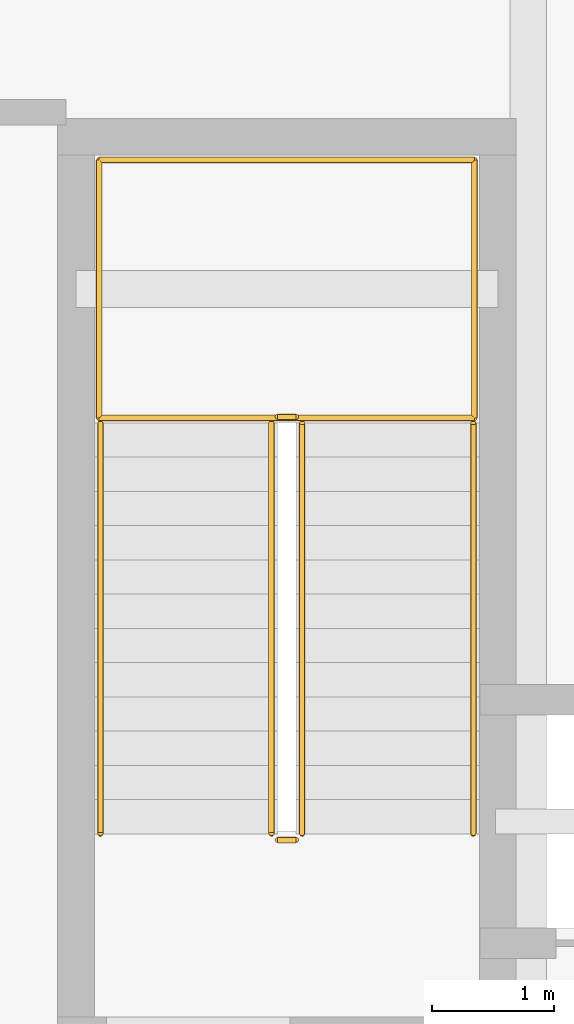
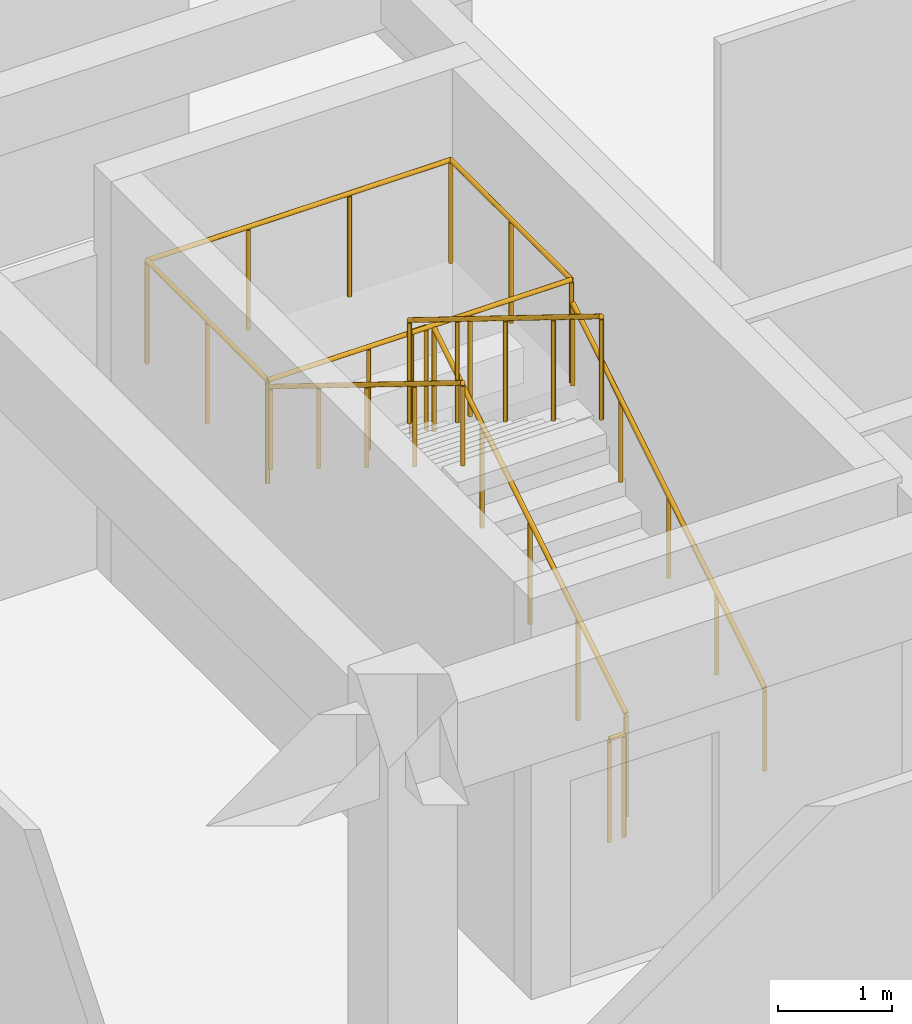
# One storey, part 57 of 57: 8 railings.
"""IFC4 building model written with IfcOpenShell, lengths in metres."""

from ifc_helpers import new_model, si_unit, direction, frame, origin, origin_2d, place, context, subcontext, project, spatial, circle, extrude, material, type_object, element, save


model = new_model("IFC4")

# Units and contexts
model_context = context("Model", 3, precision=1e-05, world=origin(), true_north=direction((0.0, 1.0)))
body_context = subcontext(model_context, "Body", "Model", "MODEL_VIEW")
ifc_project = project(units=[si_unit("LENGTHUNIT", "METRE"), si_unit("AREAUNIT", "SQUARE_METRE"), si_unit("VOLUMEUNIT", "CUBIC_METRE"), si_unit("PLANEANGLEUNIT", "RADIAN"), si_unit("MASSUNIT", "GRAM", prefix="KILO")], contexts=[model_context])

# Site, building, storey
site_placement = place(None, origin())
site = spatial("IfcSite", under=ifc_project, at=site_placement, CompositionType="ELEMENT")
building_placement = place(site_placement, origin())
building = spatial("IfcBuilding", under=site, at=building_placement, Name="Miralva Faculty of Natural Sciences", CompositionType="ELEMENT")
storey_placement = place(building_placement, frame((0.0, 0.0, 15.0)))
storey = spatial("IfcBuildingStorey", under=building, at=storey_placement, Name="L03", CompositionType="ELEMENT", Elevation=15.0)

# Railings
ifc_material = material(Name="Steel S355", Category="steel")
railing_type_1 = type_object("IfcRailingType", Name="RL-GR01", PredefinedType="GUARDRAIL", material=ifc_material)
railing_1_placement = place(storey_placement, frame((148.89990234375, 48.10009765625, 0.173095703125)))
element("IfcRailing", 1, at=railing_1_placement, inside=storey, type_object=railing_type_1, Name="Stair Core C4 safety guard L03-1", PredefinedType="GUARDRAIL", context=body_context, shape_type="SweptSolid", body=[
    extrude(circle(Radius=0.02392578125, at=origin_2d()), frame((0.0, 0.0, 1.09619140625), z_axis=(0.0, 0.850606129759, 0.525803396734), x_axis=(-1.0, 0.0, 0.0)), (0.0, 0.0, 1.0), 3.949951171875),
    extrude(circle(Radius=0.02099609375, at=origin_2d()), origin(), (0.0, 0.0, 1.0), 1.072021484375),
    extrude(circle(Radius=0.02099609375, at=origin_2d()), frame((0.0, 0.83984375, 0.519287109375)), (0.0, 0.0, 1.0), 1.072021484375),
    extrude(circle(Radius=0.02099609375, at=origin_2d()), frame((0.0, 1.679931640625, 1.03857421875)), (0.0, 0.0, 1.0), 1.072021484375),
    extrude(circle(Radius=0.02099609375, at=origin_2d()), frame((0.0, 2.52001953125, 1.5576171875)), (0.0, 0.0, 1.0), 1.072021484375),
    extrude(circle(Radius=0.02099609375, at=origin_2d()), frame((0.0, 3.35986328125, 2.076904296875)), (0.0, 0.0, 1.0), 1.072021484375),
])
railing_2_placement = place(storey_placement, frame((148.85009765625, 51.510009765625, 2.25)))
element("IfcRailing", 2, at=railing_2_placement, inside=storey, type_object=railing_type_1, Name="Stair Core C4 safety guard L03-2", PredefinedType="GUARDRAIL", context=body_context, shape_type="SweptSolid", body=[
    extrude(circle(Radius=0.02392578125, at=origin_2d()), frame((0.0, 0.0, 1.09619140625), z_axis=(-1.0, 0.0, 0.0), x_axis=(0.0, -1.0, 0.0)), (0.0, 0.0, 1.0), 0.150146484375),
    extrude(circle(Radius=0.02099609375, at=origin_2d()), origin(), (0.0, 0.0, 1.0), 1.072021484375),
    extrude(circle(Radius=0.02099609375, at=origin_2d()), frame((-0.150146484375, 0.0, 0.0)), (0.0, 0.0, 1.0), 1.072021484375),
])
railing_3_placement = place(storey_placement, frame((148.64990234375, 51.4599609375, 2.423095703125)))
element("IfcRailing", 3, at=railing_3_placement, inside=storey, type_object=railing_type_1, Name="Stair Core C4 safety guard L03-3", PredefinedType="GUARDRAIL", context=body_context, shape_type="SweptSolid", body=[
    extrude(circle(Radius=0.02392578125, at=origin_2d()), frame((0.0, 0.0, 1.09619140625), z_axis=(0.0, -0.850606129759, 0.525803396734), x_axis=(1.0, 0.0, 0.0)), (0.0, 0.0, 1.0), 3.949951171875),
    extrude(circle(Radius=0.02099609375, at=origin_2d()), origin(), (0.0, 0.0, 1.0), 1.072021484375),
    extrude(circle(Radius=0.02099609375, at=origin_2d()), frame((0.0, -0.83984375, 0.519287109375)), (0.0, 0.0, 1.0), 1.072021484375),
    extrude(circle(Radius=0.02099609375, at=origin_2d()), frame((0.0, -1.679931640625, 1.03857421875)), (0.0, 0.0, 1.0), 1.072021484375),
    extrude(circle(Radius=0.02099609375, at=origin_2d()), frame((0.0, -2.52001953125, 1.5576171875)), (0.0, 0.0, 1.0), 1.072021484375),
    extrude(circle(Radius=0.02099609375, at=origin_2d()), frame((0.0, -3.35986328125, 2.076904296875)), (0.0, 0.0, 1.0), 1.072021484375),
])
railing_4_placement = place(storey_placement, frame((148.85009765625, 48.050048828125, 0.0)))
element("IfcRailing", 4, at=railing_4_placement, inside=storey, type_object=railing_type_1, Name="Stair Core C4 safety guard L03-4", PredefinedType="GUARDRAIL", context=body_context, shape_type="SweptSolid", body=[
    extrude(circle(Radius=0.02392578125, at=origin_2d()), frame((0.0, 0.0, 1.09619140625), z_axis=(-1.0, 0.0, 0.0), x_axis=(0.0, -1.0, 0.0)), (0.0, 0.0, 1.0), 0.150146484375),
    extrude(circle(Radius=0.02099609375, at=origin_2d()), origin(), (0.0, 0.0, 1.0), 1.072021484375),
    extrude(circle(Radius=0.02099609375, at=origin_2d()), frame((-0.150146484375, 0.0, 0.0)), (0.0, 0.0, 1.0), 1.072021484375),
])
railing_5_placement = place(storey_placement, frame((147.239990234375, 51.5, 2.25)))
element("IfcRailing", 5, at=railing_5_placement, inside=storey, type_object=railing_type_1, Name="Stair Core C4 half-landing guard L03-1A", PredefinedType="GUARDRAIL", context=body_context, shape_type="SweptSolid", body=[
    extrude(circle(Radius=0.02392578125, at=origin_2d()), frame((0.0, 0.0, 1.09619140625), z_axis=(0.0, 1.0, 0.0), x_axis=(-1.0, 0.0, 0.0)), (0.0, 0.0, 1.0), 2.110107421875),
    extrude(circle(Radius=0.02392578125, at=origin_2d()), frame((0.0, 2.110107421875, 1.09619140625), z_axis=(1.0, 0.0, 0.0), x_axis=(0.0, 1.0, 0.0)), (0.0, 0.0, 1.0), 3.070068359375),
    extrude(circle(Radius=0.02099609375, at=origin_2d()), origin(), (0.0, 0.0, 1.0), 1.072021484375),
    extrude(circle(Radius=0.02099609375, at=origin_2d()), frame((0.0, 1.05517578125, 0.0)), (0.0, 0.0, 1.0), 1.072021484375),
    extrude(circle(Radius=0.02099609375, at=origin_2d()), frame((0.0, 2.110107421875, 0.0)), (0.0, 0.0, 1.0), 1.072021484375),
    extrude(circle(Radius=0.02099609375, at=origin_2d()), frame((1.0234375, 2.110107421875, 0.0)), (0.0, 0.0, 1.0), 1.072021484375),
    extrude(circle(Radius=0.02099609375, at=origin_2d()), frame((2.046630859375, 2.110107421875, 0.0)), (0.0, 0.0, 1.0), 1.072021484375),
    extrude(circle(Radius=0.02099609375, at=origin_2d()), frame((3.070068359375, 2.110107421875, 0.0)), (0.0, 0.0, 1.0), 1.072021484375),
])
railing_6_placement = place(storey_placement, frame((150.31005859375, 53.610107421875, 2.25)))
element("IfcRailing", 6, at=railing_6_placement, inside=storey, type_object=railing_type_1, Name="Stair Core C4 half-landing guard L03-1B", PredefinedType="GUARDRAIL", context=body_context, shape_type="SweptSolid", body=[
    extrude(circle(Radius=0.02392578125, at=origin_2d()), frame((0.0, 0.0, 1.09619140625), z_axis=(0.0, -1.0, 0.0), x_axis=(1.0, 0.0, 0.0)), (0.0, 0.0, 1.0), 2.110107421875),
    extrude(circle(Radius=0.02392578125, at=origin_2d()), frame((0.0, -2.110107421875, 1.09619140625), z_axis=(-1.0, 0.0, 0.0), x_axis=(0.0, -1.0, 0.0)), (0.0, 0.0, 1.0), 3.070068359375),
    extrude(circle(Radius=0.02099609375, at=origin_2d()), origin(), (0.0, 0.0, 1.0), 1.072021484375),
    extrude(circle(Radius=0.02099609375, at=origin_2d()), frame((0.0, -1.05517578125, 0.0)), (0.0, 0.0, 1.0), 1.072021484375),
    extrude(circle(Radius=0.02099609375, at=origin_2d()), frame((0.0, -2.110107421875, 0.0)), (0.0, 0.0, 1.0), 1.072021484375),
    extrude(circle(Radius=0.02099609375, at=origin_2d()), frame((-1.0234375, -2.110107421875, 0.0)), (0.0, 0.0, 1.0), 1.072021484375),
    extrude(circle(Radius=0.02099609375, at=origin_2d()), frame((-2.046630859375, -2.110107421875, 0.0)), (0.0, 0.0, 1.0), 1.072021484375),
    extrude(circle(Radius=0.02099609375, at=origin_2d()), frame((-3.070068359375, -2.110107421875, 0.0)), (0.0, 0.0, 1.0), 1.072021484375),
])
railing_type_2 = type_object("IfcRailingType", Name="RL-HR01", PredefinedType="HANDRAIL", material=ifc_material)
railing_7_placement = place(storey_placement, frame((150.300048828125, 48.10009765625, 0.173095703125)))
element("IfcRailing", 7, at=railing_7_placement, inside=storey, type_object=railing_type_2, Name="Stair Core C4 handrail L03-1", PredefinedType="HANDRAIL", context=body_context, shape_type="SweptSolid", body=[
    extrude(circle(Radius=0.02392578125, at=origin_2d()), frame((0.0, 0.0, 0.8759765625), z_axis=(0.0, 0.850606129759, 0.525803396734), x_axis=(-1.0, 0.0, 0.0)), (0.0, 0.0, 1.0), 3.949951171875),
    extrude(circle(Radius=0.02099609375, at=origin_2d()), origin(), (0.0, 0.0, 1.0), 0.851806640625),
    extrude(circle(Radius=0.02099609375, at=origin_2d()), frame((0.0, 0.83984375, 0.519287109375)), (0.0, 0.0, 1.0), 0.851806640625),
    extrude(circle(Radius=0.02099609375, at=origin_2d()), frame((0.0, 1.679931640625, 1.03857421875)), (0.0, 0.0, 1.0), 0.851806640625),
    extrude(circle(Radius=0.02099609375, at=origin_2d()), frame((0.0, 2.52001953125, 1.5576171875)), (0.0, 0.0, 1.0), 0.851806640625),
    extrude(circle(Radius=0.02099609375, at=origin_2d()), frame((0.0, 3.35986328125, 2.076904296875)), (0.0, 0.0, 1.0), 0.851806640625),
])
railing_8_placement = place(storey_placement, frame((147.25, 51.4599609375, 2.423095703125)))
element("IfcRailing", 8, at=railing_8_placement, inside=storey, type_object=railing_type_2, Name="Stair Core C4 handrail L03-2", PredefinedType="HANDRAIL", context=body_context, shape_type="SweptSolid", body=[
    extrude(circle(Radius=0.02392578125, at=origin_2d()), frame((0.0, 0.0, 0.8759765625), z_axis=(0.0, -0.850606129759, 0.525803396734), x_axis=(1.0, 0.0, 0.0)), (0.0, 0.0, 1.0), 3.949951171875),
    extrude(circle(Radius=0.02099609375, at=origin_2d()), origin(), (0.0, 0.0, 1.0), 0.851806640625),
    extrude(circle(Radius=0.02099609375, at=origin_2d()), frame((0.0, -0.83984375, 0.519287109375)), (0.0, 0.0, 1.0), 0.851806640625),
    extrude(circle(Radius=0.02099609375, at=origin_2d()), frame((0.0, -1.679931640625, 1.03857421875)), (0.0, 0.0, 1.0), 0.851806640625),
    extrude(circle(Radius=0.02099609375, at=origin_2d()), frame((0.0, -2.52001953125, 1.5576171875)), (0.0, 0.0, 1.0), 0.851806640625),
    extrude(circle(Radius=0.02099609375, at=origin_2d()), frame((0.0, -3.35986328125, 2.076904296875)), (0.0, 0.0, 1.0), 0.851806640625),
])

save(model, "model.ifc")
